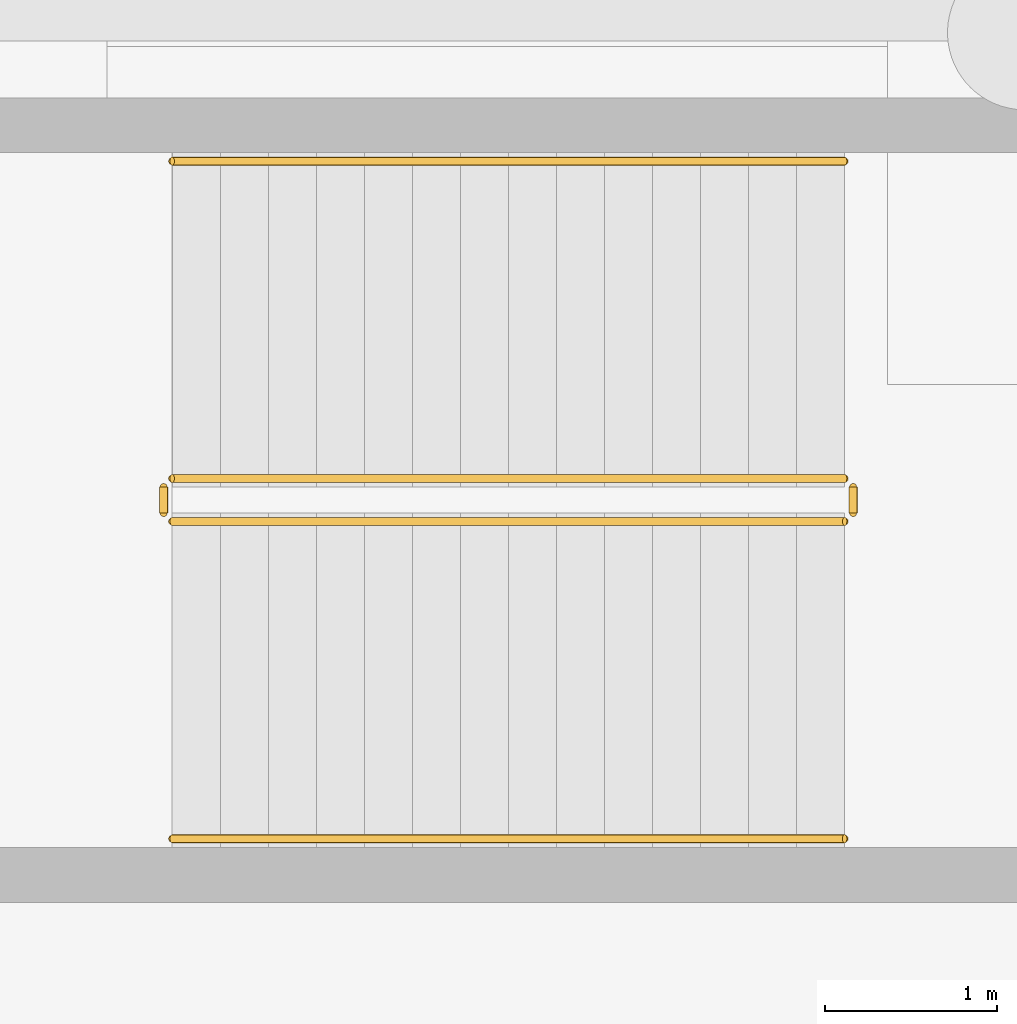
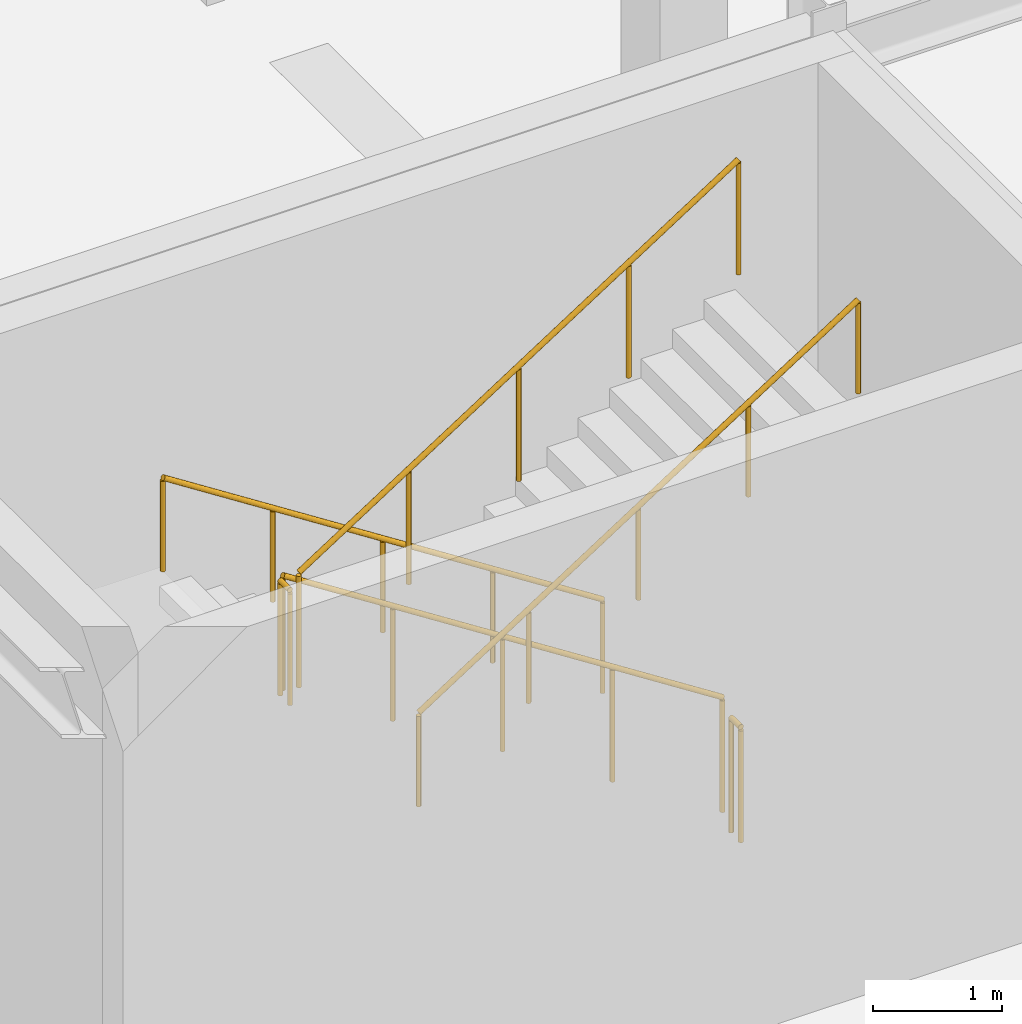
# One storey, part 59 of 65: 6 railings.
"""IFC4 building model written with IfcOpenShell, lengths in metres."""

from ifc_helpers import new_model, si_unit, direction, frame, origin, origin_2d, place, context, subcontext, project, spatial, circle, extrude, material, type_object, element, save


model = new_model("IFC4")

# Units and contexts
model_context = context("Model", 3, precision=1e-05, world=origin(), true_north=direction((0.0, 1.0)))
body_context = subcontext(model_context, "Body", "Model", "MODEL_VIEW")
ifc_project = project(units=[si_unit("LENGTHUNIT", "METRE"), si_unit("AREAUNIT", "SQUARE_METRE"), si_unit("VOLUMEUNIT", "CUBIC_METRE"), si_unit("PLANEANGLEUNIT", "RADIAN"), si_unit("MASSUNIT", "GRAM", prefix="KILO")], contexts=[model_context])

# Site, building, storey
site_placement = place(None, origin())
site = spatial("IfcSite", under=ifc_project, at=site_placement, CompositionType="ELEMENT")
building_placement = place(site_placement, origin())
building = spatial("IfcBuilding", under=site, at=building_placement, Name="Kaldris Quays Convention Centre", CompositionType="ELEMENT")
storey_placement = place(building_placement, frame((0.0, 0.0, -5.39990234375)))
storey = spatial("IfcBuildingStorey", under=building, at=storey_placement, Name="B1", CompositionType="ELEMENT", Elevation=-5.39990234375)

# Railings
ifc_material_1 = material(Name="Steel S355J2", Category="steel")
railing_type_1 = type_object("IfcRailingType", Name="INTERIOR GUARDRAIL GR01", PredefinedType="GUARDRAIL", material=ifc_material_1)
railing_1_placement = place(storey_placement, frame((171.60009765625, 34.699951171875, 0.179931640625)))
element("IfcRailing", 1, at=railing_1_placement, inside=storey, type_object=railing_type_1, Name="B1 ST15 Stair Guardrail 1", PredefinedType="GUARDRAIL", context=body_context, shape_type="SweptSolid", body=[
    extrude(circle(Radius=0.02392578125, at=origin_2d()), frame((0.0, 0.0, 1.076171875), z_axis=(-0.841186985886, 0.0, 0.540744352514), x_axis=(0.0, -1.0, 0.0)), (0.0, 0.0, 1.0), 4.660400390625),
    extrude(circle(Radius=0.02099609375, at=origin_2d()), origin(), (0.0, 0.0, 1.0), 1.052001953125),
    extrude(circle(Radius=0.02099609375, at=origin_2d()), frame((-0.97998046875, 0.0, 0.6298828125)), (0.0, 0.0, 1.0), 1.052001953125),
    extrude(circle(Radius=0.02099609375, at=origin_2d()), frame((-1.9599609375, 0.0, 1.260009765625)), (0.0, 0.0, 1.0), 1.052001953125),
    extrude(circle(Radius=0.02099609375, at=origin_2d()), frame((-2.940185546875, 0.0, 1.89013671875)), (0.0, 0.0, 1.0), 1.052001953125),
    extrude(circle(Radius=0.02099609375, at=origin_2d()), frame((-3.920166015625, 0.0, 2.52001953125)), (0.0, 0.0, 1.0), 1.052001953125),
])
railing_2_placement = place(storey_placement, frame((167.6298828125, 34.64990234375, 2.699951171875)))
element("IfcRailing", 2, at=railing_2_placement, inside=storey, type_object=railing_type_1, Name="B1 ST15 Stair Guardrail 2", PredefinedType="GUARDRAIL", context=body_context, shape_type="SweptSolid", body=[
    extrude(circle(Radius=0.02392578125, at=origin_2d()), frame((0.0, 0.0, 1.076171875), z_axis=(0.0, -1.0, 0.0), x_axis=(1.0, 0.0, 0.0)), (0.0, 0.0, 1.0), 0.14990234375),
    extrude(circle(Radius=0.02099609375, at=origin_2d()), origin(), (0.0, 0.0, 1.0), 1.052001953125),
    extrude(circle(Radius=0.02099609375, at=origin_2d()), frame((0.0, -0.14990234375, 0.0)), (0.0, 0.0, 1.0), 1.052001953125),
])
railing_3_placement = place(storey_placement, frame((167.679931640625, 34.449951171875, 2.8798828125)))
element("IfcRailing", 3, at=railing_3_placement, inside=storey, type_object=railing_type_1, Name="B1 ST15 Stair Guardrail 3", PredefinedType="GUARDRAIL", context=body_context, shape_type="SweptSolid", body=[
    extrude(circle(Radius=0.02392578125, at=origin_2d()), frame((0.0, 0.0, 1.076171875), z_axis=(0.841186985886, 0.0, 0.540744352514), x_axis=(0.0, 1.0, 0.0)), (0.0, 0.0, 1.0), 4.660400390625),
    extrude(circle(Radius=0.02099609375, at=origin_2d()), origin(), (0.0, 0.0, 1.0), 1.052001953125),
    extrude(circle(Radius=0.02099609375, at=origin_2d()), frame((0.97998046875, 0.0, 0.6298828125)), (0.0, 0.0, 1.0), 1.052001953125),
    extrude(circle(Radius=0.02099609375, at=origin_2d()), frame((1.9599609375, 0.0, 1.260009765625)), (0.0, 0.0, 1.0), 1.052001953125),
    extrude(circle(Radius=0.02099609375, at=origin_2d()), frame((2.940185546875, 0.0, 1.89013671875)), (0.0, 0.0, 1.0), 1.052001953125),
    extrude(circle(Radius=0.02099609375, at=origin_2d()), frame((3.920166015625, 0.0, 2.52001953125)), (0.0, 0.0, 1.0), 1.052001953125),
])
railing_4_placement = place(storey_placement, frame((171.64990234375, 34.64990234375, 0.0)))
element("IfcRailing", 4, at=railing_4_placement, inside=storey, type_object=railing_type_1, Name="B1 ST15 Stair Guardrail 4", PredefinedType="GUARDRAIL", context=body_context, shape_type="SweptSolid", body=[
    extrude(circle(Radius=0.02392578125, at=origin_2d()), frame((0.0, 0.0, 1.076171875), z_axis=(0.0, -1.0, 0.0), x_axis=(1.0, 0.0, 0.0)), (0.0, 0.0, 1.0), 0.14990234375),
    extrude(circle(Radius=0.02099609375, at=origin_2d()), origin(), (0.0, 0.0, 1.0), 1.052001953125),
    extrude(circle(Radius=0.02099609375, at=origin_2d()), frame((0.0, -0.14990234375, 0.0)), (0.0, 0.0, 1.0), 1.052001953125),
])
ifc_material_2 = material(Name="Stainless steel 1.4301", Category="steel")
railing_type_2 = type_object("IfcRailingType", Name="STAIR HANDRAIL HR01", PredefinedType="HANDRAIL", material=ifc_material_2)
railing_5_placement = place(storey_placement, frame((171.60009765625, 36.550048828125, 0.179931640625)))
element("IfcRailing", 5, at=railing_5_placement, inside=storey, type_object=railing_type_2, Name="B1 ST15 Flight Handrail 1", PredefinedType="HANDRAIL", context=body_context, shape_type="SweptSolid", body=[
    extrude(circle(Radius=0.02392578125, at=origin_2d()), frame((0.0, 0.0, 0.8759765625), z_axis=(-0.841186985886, 0.0, 0.540744352514), x_axis=(0.0, -1.0, 0.0)), (0.0, 0.0, 1.0), 4.660400390625),
    extrude(circle(Radius=0.02099609375, at=origin_2d()), origin(), (0.0, 0.0, 1.0), 0.851806640625),
    extrude(circle(Radius=0.02099609375, at=origin_2d()), frame((-0.97998046875, 0.0, 0.6298828125)), (0.0, 0.0, 1.0), 0.851806640625),
    extrude(circle(Radius=0.02099609375, at=origin_2d()), frame((-1.9599609375, 0.0, 1.260009765625)), (0.0, 0.0, 1.0), 0.851806640625),
    extrude(circle(Radius=0.02099609375, at=origin_2d()), frame((-2.940185546875, 0.0, 1.89013671875)), (0.0, 0.0, 1.0), 0.851806640625),
    extrude(circle(Radius=0.02099609375, at=origin_2d()), frame((-3.920166015625, 0.0, 2.52001953125)), (0.0, 0.0, 1.0), 0.851806640625),
])
railing_6_placement = place(storey_placement, frame((167.679931640625, 32.60009765625, 2.8798828125)))
element("IfcRailing", 6, at=railing_6_placement, inside=storey, type_object=railing_type_2, Name="B1 ST15 Flight Handrail 2", PredefinedType="HANDRAIL", context=body_context, shape_type="SweptSolid", body=[
    extrude(circle(Radius=0.02392578125, at=origin_2d()), frame((0.0, 0.0, 0.8759765625), z_axis=(0.841186985886, 0.0, 0.540744352514), x_axis=(0.0, 1.0, 0.0)), (0.0, 0.0, 1.0), 4.660400390625),
    extrude(circle(Radius=0.02099609375, at=origin_2d()), origin(), (0.0, 0.0, 1.0), 0.851806640625),
    extrude(circle(Radius=0.02099609375, at=origin_2d()), frame((0.97998046875, 0.0, 0.6298828125)), (0.0, 0.0, 1.0), 0.851806640625),
    extrude(circle(Radius=0.02099609375, at=origin_2d()), frame((1.9599609375, 0.0, 1.260009765625)), (0.0, 0.0, 1.0), 0.851806640625),
    extrude(circle(Radius=0.02099609375, at=origin_2d()), frame((2.940185546875, 0.0, 1.89013671875)), (0.0, 0.0, 1.0), 0.851806640625),
    extrude(circle(Radius=0.02099609375, at=origin_2d()), frame((3.920166015625, 0.0, 2.52001953125)), (0.0, 0.0, 1.0), 0.851806640625),
])

save(model, "model.ifc")
